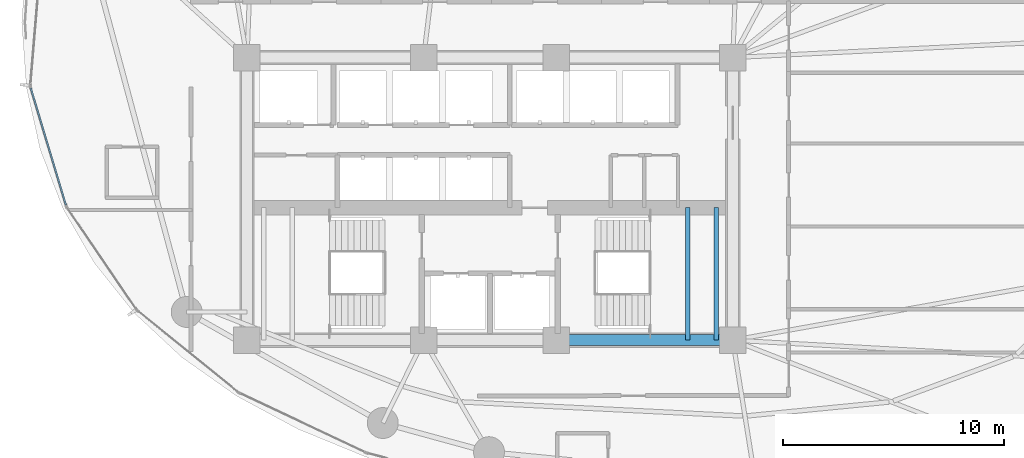
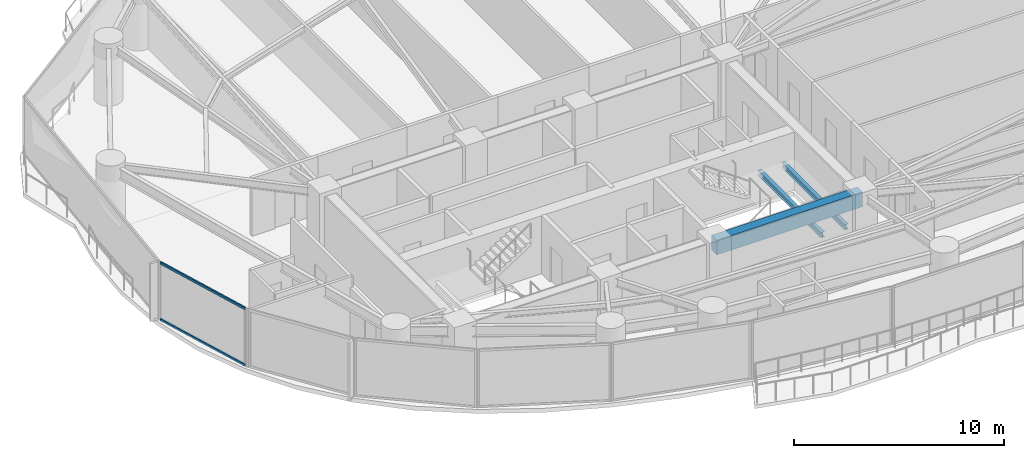
# One storey, part 7 of 30: 3 beams, 2 members, 1 element without a shape of its own.
"""IFC4 building model written with IfcOpenShell, lengths in metres."""

from ifc_helpers import new_model, si_unit, direction, frame, origin, origin_2d, place, context, subcontext, project, spatial, rectangle, hollow_rectangle, i_section, extrude, material, layer, layer_set, material_profile, profile_set, type_object, element, aggregate, save


model = new_model("IFC4")

# Units and contexts
model_context = context("Model", 3, precision=1e-05, world=origin(), true_north=direction((0.0, 1.0)))
body_context = subcontext(model_context, "Body", "Model", "MODEL_VIEW")
ifc_project = project(units=[si_unit("LENGTHUNIT", "METRE"), si_unit("AREAUNIT", "SQUARE_METRE"), si_unit("VOLUMEUNIT", "CUBIC_METRE"), si_unit("PLANEANGLEUNIT", "RADIAN"), si_unit("MASSUNIT", "GRAM", prefix="KILO")], contexts=[model_context])

# Site, building, storey
site_placement = place(None, origin())
site = spatial("IfcSite", under=ifc_project, at=site_placement, CompositionType="ELEMENT")
building_placement = place(site_placement, origin())
building = spatial("IfcBuilding", under=site, at=building_placement, Name="Kazevale Care Tower and Concert Hall", CompositionType="ELEMENT")
storey_placement = place(building_placement, frame((0.0, 0.0, 74.39990234375)))
storey = spatial("IfcBuildingStorey", under=building, at=storey_placement, Name="L19", CompositionType="ELEMENT", Elevation=74.39990234375)

# Curtain wall, members
ifc_material_1 = material(Name="Aluminium 6063-T6 and Low-E Glass", Category="aluminium")
ifc_layer = layer(ifc_material_1, 0.179931640625)
ifc_layer_set = layer_set([ifc_layer], Name="Aluminium 6063-T6 and Low-E Glass")
curtain_wall_type = type_object("IfcCurtainWallType", Name="Waist & Upper Residential Curtain Wall CW-4", PredefinedType="NOTDEFINED", material=ifc_layer_set)
curtain_wall_placement = place(storey_placement, origin())
curtain_wall = element("IfcCurtainWall", 1, at=curtain_wall_placement, inside=storey, type_object=curtain_wall_type, Name="cw:L19:f12", PredefinedType="NOTDEFINED")
ifc_material_2 = material(Name="Aluminium 6063-T6", Category="aluminium")
ifc_material_profile_1 = material_profile(ifc_material_2, hollow_rectangle(XDim=0.080078125, YDim=0.139892578125, WallThickness=0.00390625, at=origin_2d()), Name="ALU80x140x4")
ifc_profile_set_1 = profile_set([ifc_material_profile_1], Name="Aluminium 6063-T6")
member_type = type_object("IfcMemberType", Name="CW-4 Transom ALU80x140x4", PredefinedType="USERDEFINED", material=ifc_profile_set_1)
member_1_placement = place(storey_placement, frame((13.802978515625, 29.715576171875, 0.0400390625), z_axis=(-0.287906465712, 0.957658533613, 0.0), x_axis=(-0.957658533613, -0.287906465712, 0.0)))
member_1 = element("IfcMember", 2, at=member_1_placement, type_object=member_type, Name="CW-4 transom 1.1", ObjectType="TRANSOM", PredefinedType="USERDEFINED", context=body_context, shape_type="SweptSolid", body=[
    extrude(hollow_rectangle(XDim=0.080078125, YDim=0.139892578125, WallThickness=0.00390625, at=origin_2d()), origin(), (0.0, 0.0, 1.0), 5.533203125),
])
member_2_placement = place(storey_placement, frame((13.802978515625, 29.715576171875, 3.320068359375), z_axis=(-0.287906465712, 0.957658533613, 0.0), x_axis=(-0.957658533613, -0.287906465712, 0.0)))
member_2 = element("IfcMember", 3, at=member_2_placement, type_object=member_type, Name="CW-4 transom 1.2", ObjectType="TRANSOM", PredefinedType="USERDEFINED", context=body_context, shape_type="SweptSolid", body=[
    extrude(hollow_rectangle(XDim=0.080078125, YDim=0.139892578125, WallThickness=0.00390625, at=origin_2d()), origin(), (0.0, 0.0, 1.0), 5.533203125),
])
aggregate(curtain_wall, [member_1, member_2])

# Beams
ifc_material_3 = material(Name="Concrete C60", Category="concrete")
ifc_material_profile_2 = material_profile(ifc_material_3, rectangle(XDim=0.5, YDim=0.85009765625, at=origin_2d()), Name="RC-B500x850")
ifc_profile_set_2 = profile_set([ifc_material_profile_2], Name="Concrete C60")
beam_type_1 = type_object("IfcBeamType", Name="Core Coupling Beam RC500x850", PredefinedType="LINTEL", material=ifc_profile_set_2)
beam_placement = place(storey_placement, frame((36.0, 23.60009765625, 2.93505859375), z_axis=(1.0, 0.0, 0.0), x_axis=(0.0, 1.0, 0.0)))
element("IfcBeam", 4, at=beam_placement, inside=storey, type_object=beam_type_1, Name="beam:L19:coretie:3", PredefinedType="LINTEL", context=body_context, shape_type="SweptSolid", body=[
    extrude(rectangle(XDim=0.5, YDim=0.85009765625, at=origin_2d()), origin(), (0.0, 0.0, 1.0), 8.0),
])
ifc_material_4 = material(Name="Steel ASTM A572 Gr 50", Category="steel")
ifc_material_profile_3 = material_profile(ifc_material_4, i_section(OverallWidth=0.202880859375, OverallDepth=0.302978515625, WebThickness=0.007568359375, FlangeThickness=0.01318359375, at=origin_2d()), Name="W310x60")
ifc_profile_set_3 = profile_set([ifc_material_profile_3], Name="Steel ASTM A572 Gr 50")
beam_type_2 = type_object("IfcBeamType", Name="Stair & Balcony Trimmer W310x60", PredefinedType="BEAM", material=ifc_profile_set_3)
for number, where, z_axis, x_axis, name in (
    (5, (41.949951171875, 23.60009765625, 1.448486328125), (0.0, 1.0, 0.0), (-1.0, 0.0, 0.0), "beam:L19:sttrim:ST2"),
    (6, (43.25, 23.60009765625, 1.448486328125), (0.0, 1.0, 0.0), (-1.0, 0.0, 0.0), "beam:L19:sttrim:ST2b"),
):
    element("IfcBeam", number, at=place(storey_placement, frame(where, z_axis=z_axis, x_axis=x_axis)), inside=storey, type_object=beam_type_2, Name=name, PredefinedType="BEAM", context=body_context, shape_type="SweptSolid", body=[
        extrude(i_section(OverallWidth=0.202880859375, OverallDepth=0.302978515625, WebThickness=0.007568359375, FlangeThickness=0.01318359375, at=origin_2d()), origin(), (0.0, 0.0, 1.0), 6.0),
    ])

save(model, "model.ifc")
